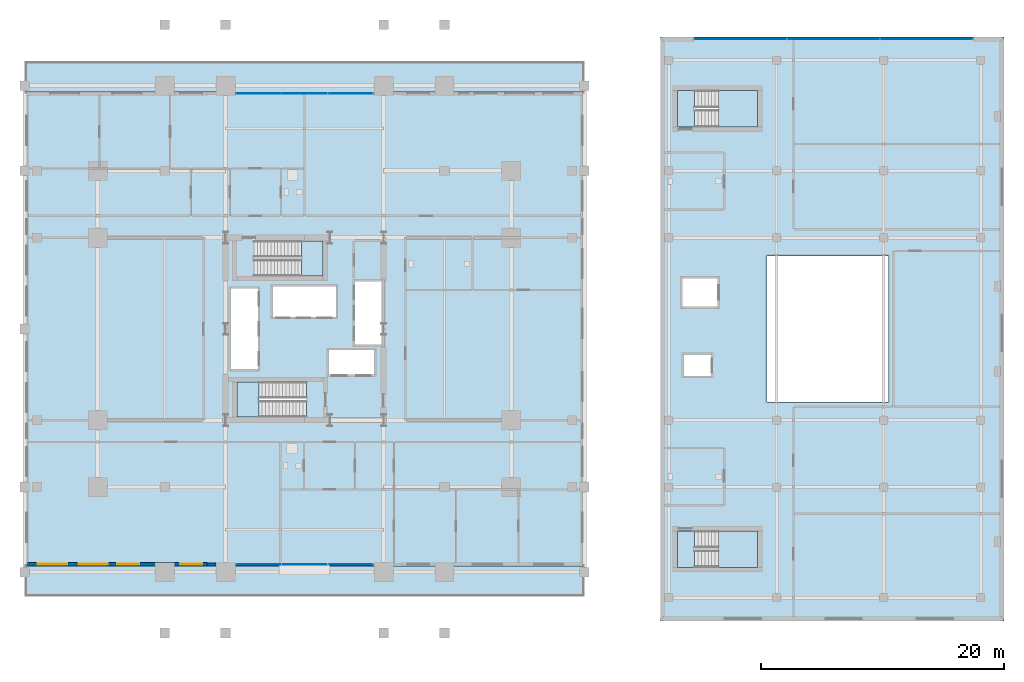
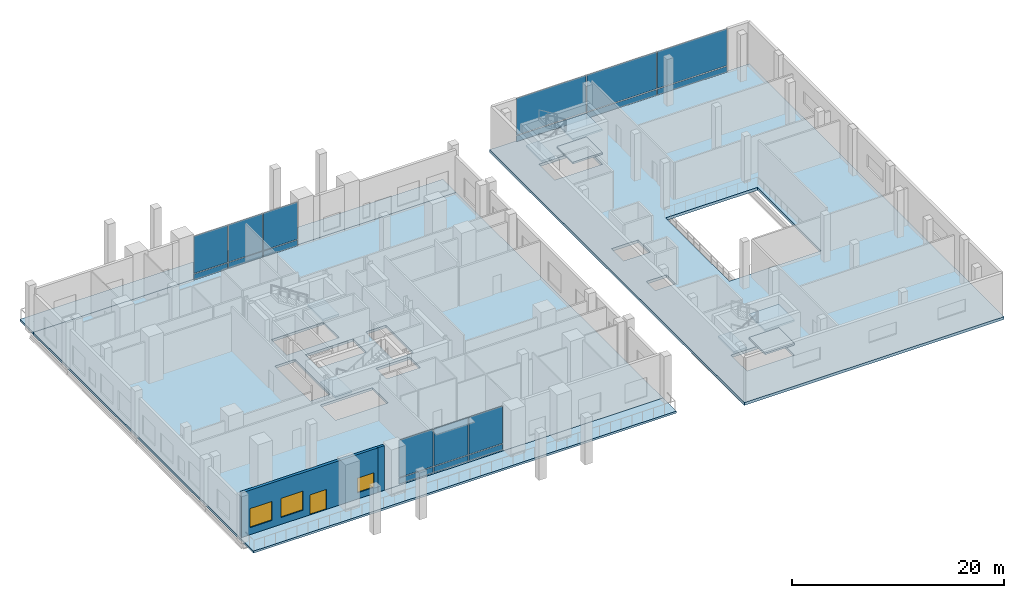
# One storey, part 10 of 22: 18 plates, 12 slabs, 3 windows, 2 walls, 1 door, 4 openings, 7 elements without a shape of their own.
"""IFC4 building model written with IfcOpenShell, lengths in metres."""

from ifc_helpers import new_model, si_unit, direction, frame, frame_2d, origin, origin_2d, place, context, subcontext, project, spatial, polyline, rectangle, outline, extrude, material, layer, layer_set, type_object, element, fill, aggregate, save


model = new_model("IFC4")

# Units and contexts
model_context = context("Model", 3, precision=1e-05, world=origin(), true_north=direction((0.0, 1.0)))
body_context = subcontext(model_context, "Body", "Model", "MODEL_VIEW")
ifc_project = project(units=[si_unit("LENGTHUNIT", "METRE"), si_unit("AREAUNIT", "SQUARE_METRE"), si_unit("VOLUMEUNIT", "CUBIC_METRE"), si_unit("PLANEANGLEUNIT", "RADIAN"), si_unit("MASSUNIT", "GRAM", prefix="KILO")], contexts=[model_context])

# Site, building, storey
site_placement = place(None, origin())
site = spatial("IfcSite", under=ifc_project, at=site_placement, CompositionType="ELEMENT")
building_placement = place(site_placement, origin())
building = spatial("IfcBuilding", under=site, at=building_placement, Name="Barlavira Tower and Art Museum", CompositionType="ELEMENT")
storey_placement = place(building_placement, frame((0.0, 0.0, 16.800048828125)))
storey = spatial("IfcBuildingStorey", under=building, at=storey_placement, Name="L03", CompositionType="ELEMENT", Elevation=16.800048828125)

# Slabs
ifc_material_1 = material(Name="Concrete C50", Category="concrete")
ifc_layer_1 = layer(ifc_material_1, 0.239990234375, Name="Concrete C50")
ifc_layer_set_1 = layer_set([ifc_layer_1], Name="Concrete C50")
slab_type_1 = type_object("IfcSlabType", Name="Cascading Garden and Lookout Terrace Slab 240 Concrete C50", PredefinedType="FLOOR", material=ifc_layer_set_1)
slab_1_placement = place(storey_placement, frame((0.0, 0.0, -0.239990234375)))
element("IfcSlab", 1, at=slab_1_placement, inside=storey, type_object=slab_type_1, Name="L03 South Cascading Garden Terrace Slab", PredefinedType="FLOOR", context=body_context, shape_type="SweptSolid", body=[
    extrude(outline(polyline([(-23.0, -22.0), (23.0, -22.0), (23.0, -19.5), (-23.0, -19.5), (-23.0, -22.0)])), origin(), (0.0, 0.0, 1.0), 0.239990234375),
])
slab_2_placement = place(storey_placement, frame((0.0, 0.0, -0.239990234375)))
element("IfcSlab", 2, at=slab_2_placement, inside=storey, type_object=slab_type_1, Name="L03 North Cascading Garden Terrace Slab", PredefinedType="FLOOR", context=body_context, shape_type="SweptSolid", body=[
    extrude(outline(polyline([(-23.0, 19.5), (23.0, 19.5), (23.0, 22.0), (-23.0, 22.0), (-23.0, 19.5)])), origin(), (0.0, 0.0, 1.0), 0.239990234375),
])

# Curtain wall, plates
ifc_material_2 = material(Name="Low-iron coastal laminated glass", Category="glass")
ifc_layer_2 = layer(ifc_material_2, 0.179931640625, Name="Low-iron coastal laminated glass")
ifc_layer_set_2 = layer_set([ifc_layer_2], Name="Low-iron coastal laminated glass")
curtain_wall_type_1 = type_object("IfcCurtainWallType", Name="Pale-Metal Unitised Curtain Wall Zone 1", PredefinedType="NOTDEFINED", material=ifc_layer_set_2)
curtain_wall_1_placement = place(storey_placement, origin())
curtain_wall_1 = element("IfcCurtainWall", 3, at=curtain_wall_1_placement, inside=storey, type_object=curtain_wall_type_1, Name="L03 Curtain Wall CW1-L03-S-B2", PredefinedType="NOTDEFINED")
ifc_material_3 = material(Name="Pale anodised aluminium", Category="aluminium")
ifc_layer_3 = layer(ifc_material_3, 0.044921875, Name="Pale anodised aluminium")
ifc_layer_set_3 = layer_set([ifc_layer_3], Name="Pale anodised aluminium")
plate_type_1 = type_object("IfcPlateType", Name="Curtain Wall Pale-Metal Spandrel Panel 45", PredefinedType="CURTAIN_PANEL", material=ifc_layer_set_3)
plate_1_placement = place(storey_placement, frame((-3.78662109375, -19.35009765625, 0.0400390625), z_axis=(0.0, 0.0, 1.0), x_axis=(1.0, 0.0, 0.0)))
plate_1 = element("IfcPlate", 4, at=plate_1_placement, type_object=plate_type_1, Name="CW1-L03-S-B2 Spandrel Panel 0", PredefinedType="CURTAIN_PANEL", context=body_context, shape_type="SweptSolid", body=[
    extrude(rectangle(XDim=3.686767578125, YDim=0.044921875, at=origin_2d()), origin(), (0.0, 0.0, 1.0), 0.669921875),
])
plate_2_placement = place(storey_placement, frame((0.0, -19.35009765625, 0.0400390625), z_axis=(0.0, 0.0, 1.0), x_axis=(1.0, 0.0, 0.0)))
plate_2 = element("IfcPlate", 5, at=plate_2_placement, type_object=plate_type_1, Name="CW1-L03-S-B2 Spandrel Panel 1", PredefinedType="CURTAIN_PANEL", context=body_context, shape_type="SweptSolid", body=[
    extrude(rectangle(XDim=3.686767578125, YDim=0.044921875, at=origin_2d()), origin(), (0.0, 0.0, 1.0), 0.669921875),
])
plate_3_placement = place(storey_placement, frame((3.78662109375, -19.35009765625, 0.0400390625), z_axis=(0.0, 0.0, 1.0), x_axis=(1.0, 0.0, 0.0)))
plate_3 = element("IfcPlate", 6, at=plate_3_placement, type_object=plate_type_1, Name="CW1-L03-S-B2 Spandrel Panel 2", PredefinedType="CURTAIN_PANEL", context=body_context, shape_type="SweptSolid", body=[
    extrude(rectangle(XDim=3.686767578125, YDim=0.044921875, at=origin_2d()), origin(), (0.0, 0.0, 1.0), 0.669921875),
])

curtain_wall_2_placement = place(storey_placement, origin())
curtain_wall_2 = element("IfcCurtainWall", 7, at=curtain_wall_2_placement, inside=storey, type_object=curtain_wall_type_1, Name="L03 Curtain Wall CW1-L03-N-B2", PredefinedType="NOTDEFINED")
plate_4_placement = place(storey_placement, frame((3.78662109375, 19.35009765625, 0.0400390625), z_axis=(0.0, 0.0, 1.0), x_axis=(-1.0, 0.0, 0.0)))
plate_4 = element("IfcPlate", 8, at=plate_4_placement, type_object=plate_type_1, Name="CW1-L03-N-B2 Spandrel Panel 0", PredefinedType="CURTAIN_PANEL", context=body_context, shape_type="SweptSolid", body=[
    extrude(rectangle(XDim=3.686767578125, YDim=0.044921875, at=origin_2d()), origin(), (0.0, 0.0, 1.0), 0.669921875),
])
plate_5_placement = place(storey_placement, frame((0.0, 19.35009765625, 0.0400390625), z_axis=(0.0, 0.0, 1.0), x_axis=(-1.0, 0.0, 0.0)))
plate_5 = element("IfcPlate", 9, at=plate_5_placement, type_object=plate_type_1, Name="CW1-L03-N-B2 Spandrel Panel 1", PredefinedType="CURTAIN_PANEL", context=body_context, shape_type="SweptSolid", body=[
    extrude(rectangle(XDim=3.686767578125, YDim=0.044921875, at=origin_2d()), origin(), (0.0, 0.0, 1.0), 0.669921875),
])
plate_6_placement = place(storey_placement, frame((-3.78662109375, 19.35009765625, 0.0400390625), z_axis=(0.0, 0.0, 1.0), x_axis=(-1.0, 0.0, 0.0)))
plate_6 = element("IfcPlate", 10, at=plate_6_placement, type_object=plate_type_1, Name="CW1-L03-N-B2 Spandrel Panel 2", PredefinedType="CURTAIN_PANEL", context=body_context, shape_type="SweptSolid", body=[
    extrude(rectangle(XDim=3.686767578125, YDim=0.044921875, at=origin_2d()), origin(), (0.0, 0.0, 1.0), 0.669921875),
])

ifc_layer_4 = layer(ifc_material_2, 0.199951171875, Name="Low-iron coastal laminated glass")
ifc_layer_set_4 = layer_set([ifc_layer_4], Name="Low-iron coastal laminated glass")
curtain_wall_type_2 = type_object("IfcCurtainWallType", Name="Coastal Art Museum North-Light Curtain Wall", PredefinedType="NOTDEFINED", material=ifc_layer_set_4)
curtain_wall_3_placement = place(storey_placement, origin())
curtain_wall_3 = element("IfcCurtainWall", 11, at=curtain_wall_3_placement, inside=storey, type_object=curtain_wall_type_2, Name="L03 Curtain Wall CW6-MUS-L03-N", PredefinedType="NOTDEFINED")
plate_7_placement = place(storey_placement, frame((51.166748046875, 23.824951171875, 0.0400390625), z_axis=(0.0, 0.0, 1.0), x_axis=(-1.0, 0.0, 0.0)))
plate_7 = element("IfcPlate", 12, at=plate_7_placement, type_object=plate_type_1, Name="CW6-MUS-L03-N Spandrel Panel 0", PredefinedType="CURTAIN_PANEL", context=body_context, shape_type="SweptSolid", body=[
    extrude(rectangle(XDim=7.566650390625, YDim=0.044921875, at=origin_2d()), origin(), (0.0, 0.0, 1.0), 0.669921875),
])
plate_8_placement = place(storey_placement, frame((43.5, 23.824951171875, 0.0400390625), z_axis=(0.0, 0.0, 1.0), x_axis=(-1.0, 0.0, 0.0)))
plate_8 = element("IfcPlate", 13, at=plate_8_placement, type_object=plate_type_1, Name="CW6-MUS-L03-N Spandrel Panel 1", PredefinedType="CURTAIN_PANEL", context=body_context, shape_type="SweptSolid", body=[
    extrude(rectangle(XDim=7.566650390625, YDim=0.044921875, at=origin_2d()), origin(), (0.0, 0.0, 1.0), 0.669921875),
])
plate_9_placement = place(storey_placement, frame((35.833251953125, 23.824951171875, 0.0400390625), z_axis=(0.0, 0.0, 1.0), x_axis=(-1.0, 0.0, 0.0)))
plate_9 = element("IfcPlate", 14, at=plate_9_placement, type_object=plate_type_1, Name="CW6-MUS-L03-N Spandrel Panel 2", PredefinedType="CURTAIN_PANEL", context=body_context, shape_type="SweptSolid", body=[
    extrude(rectangle(XDim=7.566650390625, YDim=0.044921875, at=origin_2d()), origin(), (0.0, 0.0, 1.0), 0.669921875),
])

# Plate
ifc_layer_5 = layer(ifc_material_2, 0.028076171875, Name="Low-iron coastal laminated glass")
ifc_layer_set_5 = layer_set([ifc_layer_5], Name="Low-iron coastal laminated glass")
plate_type_2 = type_object("IfcPlateType", Name="Curtain Wall Vision Glazing Panel 28", PredefinedType="CURTAIN_PANEL", material=ifc_layer_set_5)
plate_10_placement = place(storey_placement, frame((-3.78662109375, -19.35009765625, 0.7900390625), z_axis=(0.0, 0.0, 1.0), x_axis=(1.0, 0.0, 0.0)))
plate_10 = element("IfcPlate", 15, at=plate_10_placement, type_object=plate_type_2, Name="CW1-L03-S-B2 Vision Glass Panel 0", PredefinedType="CURTAIN_PANEL", context=body_context, shape_type="SweptSolid", body=[
    extrude(rectangle(XDim=3.686767578125, YDim=0.028076171875, at=origin_2d()), origin(), (0.0, 0.0, 1.0), 4.2900390625),
])

plate_11_placement = place(storey_placement, frame((0.0, -19.35009765625, 0.7900390625), z_axis=(0.0, 0.0, 1.0), x_axis=(1.0, 0.0, 0.0)))
plate_11 = element("IfcPlate", 16, at=plate_11_placement, type_object=plate_type_2, Name="CW1-L03-S-B2 Vision Glass Panel 1", PredefinedType="CURTAIN_PANEL", context=body_context, shape_type="SweptSolid", body=[
    extrude(rectangle(XDim=3.686767578125, YDim=0.028076171875, at=origin_2d()), origin(), (0.0, 0.0, 1.0), 4.2900390625),
])

plate_12_placement = place(storey_placement, frame((3.78662109375, -19.35009765625, 0.7900390625), z_axis=(0.0, 0.0, 1.0), x_axis=(1.0, 0.0, 0.0)))
plate_12 = element("IfcPlate", 17, at=plate_12_placement, type_object=plate_type_2, Name="CW1-L03-S-B2 Vision Glass Panel 2", PredefinedType="CURTAIN_PANEL", context=body_context, shape_type="SweptSolid", body=[
    extrude(rectangle(XDim=3.686767578125, YDim=0.028076171875, at=origin_2d()), origin(), (0.0, 0.0, 1.0), 4.2900390625),
])

aggregate(curtain_wall_1, [plate_1, plate_10, plate_2, plate_11, plate_3, plate_12])

plate_13_placement = place(storey_placement, frame((3.78662109375, 19.35009765625, 0.7900390625), z_axis=(0.0, 0.0, 1.0), x_axis=(-1.0, 0.0, 0.0)))
plate_13 = element("IfcPlate", 18, at=plate_13_placement, type_object=plate_type_2, Name="CW1-L03-N-B2 Vision Glass Panel 0", PredefinedType="CURTAIN_PANEL", context=body_context, shape_type="SweptSolid", body=[
    extrude(rectangle(XDim=3.686767578125, YDim=0.028076171875, at=origin_2d()), origin(), (0.0, 0.0, 1.0), 4.2900390625),
])

plate_14_placement = place(storey_placement, frame((0.0, 19.35009765625, 0.7900390625), z_axis=(0.0, 0.0, 1.0), x_axis=(-1.0, 0.0, 0.0)))
plate_14 = element("IfcPlate", 19, at=plate_14_placement, type_object=plate_type_2, Name="CW1-L03-N-B2 Vision Glass Panel 1", PredefinedType="CURTAIN_PANEL", context=body_context, shape_type="SweptSolid", body=[
    extrude(rectangle(XDim=3.686767578125, YDim=0.028076171875, at=origin_2d()), origin(), (0.0, 0.0, 1.0), 4.2900390625),
])

plate_15_placement = place(storey_placement, frame((-3.78662109375, 19.35009765625, 0.7900390625), z_axis=(0.0, 0.0, 1.0), x_axis=(-1.0, 0.0, 0.0)))
plate_15 = element("IfcPlate", 20, at=plate_15_placement, type_object=plate_type_2, Name="CW1-L03-N-B2 Vision Glass Panel 2", PredefinedType="CURTAIN_PANEL", context=body_context, shape_type="SweptSolid", body=[
    extrude(rectangle(XDim=3.686767578125, YDim=0.028076171875, at=origin_2d()), origin(), (0.0, 0.0, 1.0), 4.2900390625),
])

aggregate(curtain_wall_2, [plate_4, plate_13, plate_5, plate_14, plate_6, plate_15])

plate_16_placement = place(storey_placement, frame((51.166748046875, 23.824951171875, 0.7900390625), z_axis=(0.0, 0.0, 1.0), x_axis=(-1.0, 0.0, 0.0)))
plate_16 = element("IfcPlate", 21, at=plate_16_placement, type_object=plate_type_2, Name="CW6-MUS-L03-N Vision Glass Panel 0", PredefinedType="CURTAIN_PANEL", context=body_context, shape_type="SweptSolid", body=[
    extrude(rectangle(XDim=7.566650390625, YDim=0.028076171875, at=origin_2d()), origin(), (0.0, 0.0, 1.0), 4.25),
])

plate_17_placement = place(storey_placement, frame((43.5, 23.824951171875, 0.7900390625), z_axis=(0.0, 0.0, 1.0), x_axis=(-1.0, 0.0, 0.0)))
plate_17 = element("IfcPlate", 22, at=plate_17_placement, type_object=plate_type_2, Name="CW6-MUS-L03-N Vision Glass Panel 1", PredefinedType="CURTAIN_PANEL", context=body_context, shape_type="SweptSolid", body=[
    extrude(rectangle(XDim=7.566650390625, YDim=0.028076171875, at=origin_2d()), origin(), (0.0, 0.0, 1.0), 4.25),
])

plate_18_placement = place(storey_placement, frame((35.833251953125, 23.824951171875, 0.7900390625), z_axis=(0.0, 0.0, 1.0), x_axis=(-1.0, 0.0, 0.0)))
plate_18 = element("IfcPlate", 23, at=plate_18_placement, type_object=plate_type_2, Name="CW6-MUS-L03-N Vision Glass Panel 2", PredefinedType="CURTAIN_PANEL", context=body_context, shape_type="SweptSolid", body=[
    extrude(rectangle(XDim=7.566650390625, YDim=0.028076171875, at=origin_2d()), origin(), (0.0, 0.0, 1.0), 4.25),
])

aggregate(curtain_wall_3, [plate_7, plate_16, plate_8, plate_17, plate_9, plate_18])

# Slab
ifc_layer_6 = layer(ifc_material_1, 0.320068359375, Name="Concrete C50")
ifc_layer_set_6 = layer_set([ifc_layer_6], Name="Concrete C50")
slab_type_2 = type_object("IfcSlabType", Name="Museum Exhibition Gallery Slab 320 Concrete C50", PredefinedType="FLOOR", material=ifc_layer_set_6)
slab_3_placement = place(storey_placement, frame((0.0, 0.0, -0.320068359375)))
element("IfcSlab", 24, at=slab_3_placement, inside=storey, type_object=slab_type_2, Name="L03 Coastal Art Museum Floor Slab", PredefinedType="FLOOR", context=body_context, shape_type="SweptSolid", body=[
    extrude(outline(polyline([(29.25, -24.0), (57.5, -24.0), (57.5, 24.0), (29.25, 24.0), (29.25, -24.0)]), holes=[polyline([(32.070068359375, -19.60009765625), (37.25, -19.60009765625), (37.25, -16.60009765625), (32.070068359375, -16.60009765625), (32.070068359375, -19.60009765625)]), polyline([(32.070068359375, 16.60009765625), (37.25, 16.60009765625), (37.25, 19.60009765625), (32.070068359375, 19.60009765625), (32.070068359375, 16.60009765625)]), polyline([(31.199951171875, -3.85009765625), (33.39990234375, -3.85009765625), (33.39990234375, -2.14990234375), (31.199951171875, -2.14990234375), (31.199951171875, -3.85009765625)]), polyline([(31.050048828125, 1.85009765625), (33.949951171875, 1.85009765625), (33.949951171875, 4.14990234375), (31.050048828125, 4.14990234375), (31.050048828125, 1.85009765625)]), polyline([(38.0, -6.0), (48.0, -6.0), (48.0, 6.0), (38.0, 6.0), (38.0, -6.0)])]), origin(), (0.0, 0.0, 1.0), 0.320068359375),
])

# Stair, slabs
ifc_material_4 = material(Name="Concrete C45", Category="concrete")
stair_type_1 = type_object("IfcStairType", Name="Museum North Dog-Leg Exit Stair Assembly Concrete C45", PredefinedType="TWO_QUARTER_TURN_STAIR", material=ifc_material_4)
stair_1_placement = place(storey_placement, origin())
stair_1 = element("IfcStair", 25, at=stair_1_placement, inside=storey, type_object=stair_type_1, Name="L03 Museum North Exit Stair ST-M2", PredefinedType="TWO_QUARTER_TURN_STAIR")
ifc_layer_7 = layer(ifc_material_4, 0.199951171875, Name="Concrete C45")
ifc_layer_set_7 = layer_set([ifc_layer_7], Name="Concrete C45")
slab_type_3 = type_object("IfcSlabType", Name="Museum North Dog-Leg Exit Stair Half-Landing Slab 200 Concrete C45", PredefinedType="LANDING", material=ifc_layer_set_7)
slab_4_placement = place(storey_placement, frame((0.0, 0.0, 1.14990234375)))
slab_4 = element("IfcSlab", 26, at=slab_4_placement, type_object=slab_type_3, Name="ST-M2 landing 1", PredefinedType="LANDING", context=body_context, shape_type="SweptSolid", body=[
    extrude(outline(polyline([(34.030029296875, 16.60009765625), (37.25, 16.60009765625), (37.25, 19.60009765625), (34.030029296875, 19.60009765625), (34.030029296875, 16.60009765625)])), origin(), (0.0, 0.0, 1.0), 0.199951171875),
])
slab_5_placement = place(storey_placement, frame((0.0, 0.0, 2.5)))
slab_5 = element("IfcSlab", 27, at=slab_5_placement, type_object=slab_type_3, Name="ST-M2 landing 2", PredefinedType="LANDING", context=body_context, shape_type="SweptSolid", body=[
    extrude(outline(polyline([(30.64990234375, 16.60009765625), (32.070068359375, 16.60009765625), (32.070068359375, 19.60009765625), (30.64990234375, 19.60009765625), (30.64990234375, 16.60009765625)])), origin(), (0.0, 0.0, 1.0), 0.199951171875),
])
slab_6_placement = place(storey_placement, frame((0.0, 0.0, 3.849853515625)))
slab_6 = element("IfcSlab", 28, at=slab_6_placement, type_object=slab_type_3, Name="ST-M2 landing 3", PredefinedType="LANDING", context=body_context, shape_type="SweptSolid", body=[
    extrude(outline(polyline([(34.030029296875, 16.60009765625), (37.25, 16.60009765625), (37.25, 19.60009765625), (34.030029296875, 19.60009765625), (34.030029296875, 16.60009765625)])), origin(), (0.0, 0.0, 1.0), 0.2001953125),
])
aggregate(stair_1, [slab_4, slab_5, slab_6])

stair_type_2 = type_object("IfcStairType", Name="Museum South Dog-Leg Exit Stair Assembly Concrete C45", PredefinedType="TWO_QUARTER_TURN_STAIR", material=ifc_material_4)
stair_2_placement = place(storey_placement, origin())
stair_2 = element("IfcStair", 29, at=stair_2_placement, inside=storey, type_object=stair_type_2, Name="L03 Museum South Exit Stair ST-M1", PredefinedType="TWO_QUARTER_TURN_STAIR")
ifc_layer_8 = layer(ifc_material_4, 0.199951171875, Name="Concrete C45")
ifc_layer_set_8 = layer_set([ifc_layer_8], Name="Concrete C45")
slab_type_4 = type_object("IfcSlabType", Name="Museum South Dog-Leg Exit Stair Half-Landing Slab 200 Concrete C45", PredefinedType="LANDING", material=ifc_layer_set_8)
slab_7_placement = place(storey_placement, frame((0.0, 0.0, 1.14990234375)))
slab_7 = element("IfcSlab", 30, at=slab_7_placement, type_object=slab_type_4, Name="ST-M1 landing 1", PredefinedType="LANDING", context=body_context, shape_type="SweptSolid", body=[
    extrude(outline(polyline([(34.030029296875, -19.60009765625), (37.25, -19.60009765625), (37.25, -16.60009765625), (34.030029296875, -16.60009765625), (34.030029296875, -19.60009765625)])), origin(), (0.0, 0.0, 1.0), 0.199951171875),
])
slab_8_placement = place(storey_placement, frame((0.0, 0.0, 2.5)))
slab_8 = element("IfcSlab", 31, at=slab_8_placement, type_object=slab_type_4, Name="ST-M1 landing 2", PredefinedType="LANDING", context=body_context, shape_type="SweptSolid", body=[
    extrude(outline(polyline([(30.64990234375, -19.60009765625), (32.070068359375, -19.60009765625), (32.070068359375, -16.60009765625), (30.64990234375, -16.60009765625), (30.64990234375, -19.60009765625)])), origin(), (0.0, 0.0, 1.0), 0.199951171875),
])
slab_9_placement = place(storey_placement, frame((0.0, 0.0, 3.849853515625)))
slab_9 = element("IfcSlab", 32, at=slab_9_placement, type_object=slab_type_4, Name="ST-M1 landing 3", PredefinedType="LANDING", context=body_context, shape_type="SweptSolid", body=[
    extrude(outline(polyline([(34.030029296875, -19.60009765625), (37.25, -19.60009765625), (37.25, -16.60009765625), (34.030029296875, -16.60009765625), (34.030029296875, -19.60009765625)])), origin(), (0.0, 0.0, 1.0), 0.2001953125),
])
aggregate(stair_2, [slab_7, slab_8, slab_9])

# Slab
ifc_layer_9 = layer(ifc_material_1, 0.280029296875, Name="Concrete C50")
ifc_layer_set_9 = layer_set([ifc_layer_9], Name="Concrete C50")
slab_type_5 = type_object("IfcSlabType", Name="Podium Floor Slab 280 Concrete C50", PredefinedType="FLOOR", material=ifc_layer_set_9)
slab_10_placement = place(storey_placement, frame((0.0, 0.0, -0.280029296875)))
element("IfcSlab", 33, at=slab_10_placement, inside=storey, type_object=slab_type_5, Name="L03 Tower Podium Indoor Floor Slab", PredefinedType="FLOOR", context=body_context, shape_type="SweptSolid", body=[
    extrude(outline(polyline([(-23.0, -19.5), (23.0, -19.5), (23.0, 19.5), (-23.0, 19.5), (-23.0, -19.5)]), holes=[polyline([(0.14990234375, -4.35009765625), (-5.550048828125, -4.35009765625), (-5.550048828125, -7.25), (0.14990234375, -7.25), (0.14990234375, -4.35009765625)]), polyline([(-4.169921875, 4.35009765625), (1.530029296875, 4.35009765625), (1.530029296875, 7.25), (-4.169921875, 7.25), (-4.169921875, 4.35009765625)]), polyline([(-6.050048828125, -3.31005859375), (-3.85009765625, -3.31005859375), (-3.85009765625, 3.31005859375), (-6.050048828125, 3.31005859375), (-6.050048828125, -3.31005859375)]), polyline([(4.14990234375, -1.2900390625), (6.35009765625, -1.2900390625), (6.35009765625, 3.889892578125), (4.14990234375, 3.889892578125), (4.14990234375, -1.2900390625)]), polyline([(-2.6201171875, 1.0), (2.56005859375, 1.0), (2.56005859375, 3.5), (-2.6201171875, 3.5), (-2.6201171875, 1.0)]), polyline([(2.0, -3.75), (5.699951171875, -3.75), (5.699951171875, -1.75), (2.0, -1.75), (2.0, -3.75)])]), origin(), (0.0, 0.0, 1.0), 0.280029296875),
])

# Stair, slab
stair_type_3 = type_object("IfcStairType", Name="Tower North Dog-Leg Exit Stair Assembly Concrete C45", PredefinedType="TWO_QUARTER_TURN_STAIR", material=ifc_material_4)
stair_3_placement = place(storey_placement, origin())
stair_3 = element("IfcStair", 34, at=stair_3_placement, inside=storey, type_object=stair_type_3, Name="L03 Tower North Exit Stair ST-T2", PredefinedType="TWO_QUARTER_TURN_STAIR")
ifc_layer_10 = layer(ifc_material_4, 0.199951171875, Name="Concrete C45")
ifc_layer_set_10 = layer_set([ifc_layer_10], Name="Concrete C45")
slab_type_6 = type_object("IfcSlabType", Name="Tower North Dog-Leg Exit Stair Half-Landing Slab 200 Concrete C45", PredefinedType="LANDING", material=ifc_layer_set_10)
slab_11_placement = place(storey_placement, frame((0.0, 0.0, 2.5)))
slab_11 = element("IfcSlab", 35, at=slab_11_placement, type_object=slab_type_6, Name="ST-T2 landing 1", PredefinedType="LANDING", context=body_context, shape_type="SweptSolid", body=[
    extrude(outline(polyline([(-0.25, 4.35009765625), (1.530029296875, 4.35009765625), (1.530029296875, 7.25), (-0.25, 7.25), (-0.25, 4.35009765625)])), origin(), (0.0, 0.0, 1.0), 0.199951171875),
])
aggregate(stair_3, [slab_11])

stair_type_4 = type_object("IfcStairType", Name="Tower South Dog-Leg Exit Stair Assembly Concrete C45", PredefinedType="TWO_QUARTER_TURN_STAIR", material=ifc_material_4)
stair_4_placement = place(storey_placement, origin())
stair_4 = element("IfcStair", 36, at=stair_4_placement, inside=storey, type_object=stair_type_4, Name="L03 Tower South Exit Stair ST-T1", PredefinedType="TWO_QUARTER_TURN_STAIR")
ifc_layer_11 = layer(ifc_material_4, 0.199951171875, Name="Concrete C45")
ifc_layer_set_11 = layer_set([ifc_layer_11], Name="Concrete C45")
slab_type_7 = type_object("IfcSlabType", Name="Tower South Dog-Leg Exit Stair Half-Landing Slab 200 Concrete C45", PredefinedType="LANDING", material=ifc_layer_set_11)
slab_12_placement = place(storey_placement, frame((0.0, 0.0, 2.5)))
slab_12 = element("IfcSlab", 37, at=slab_12_placement, type_object=slab_type_7, Name="ST-T1 landing 1", PredefinedType="LANDING", context=body_context, shape_type="SweptSolid", body=[
    extrude(outline(polyline([(-3.77001953125, -4.35009765625), (-5.550048828125, -4.35009765625), (-5.550048828125, -7.25), (-3.77001953125, -7.25), (-3.77001953125, -4.35009765625)])), origin(), (0.0, 0.0, 1.0), 0.199951171875),
])
aggregate(stair_4, [slab_12])

# Wall
ifc_material_5 = material(Name="Precast concrete C40", Category="concrete")
ifc_layer_12 = layer(ifc_material_5, 0.25, Name="Precast concrete C40")
ifc_layer_set_12 = layer_set([ifc_layer_12], Name="Precast concrete C40")
wall_type_1 = type_object("IfcWallType", Name="Notched Corner Spandrel Wall 250 Precast Concrete C40", PredefinedType="SOLIDWALL", material=ifc_layer_set_12)
wall_1_placement = place(storey_placement, frame((-8.02490234375, -19.35009765625, 0.0), z_axis=(0.0, 0.0, 1.0), x_axis=(1.0, 0.0, 0.0)))
element("IfcWall", 38, at=wall_1_placement, inside=storey, type_object=wall_type_1, Name="L03 Coastal Facade Pier Wall CW1-L03-S-1", PredefinedType="SOLIDWALL", context=body_context, shape_type="SweptSolid", body=[
    extrude(rectangle(XDim=0.72998046875, YDim=0.25, at=frame_2d((0.364990234375, 0.0))), origin(), (0.0, 0.0, 1.0), 5.119873046875),
])

# Wall, openings, windows, door
ifc_layer_13 = layer(ifc_material_5, 0.300048828125, Name="Precast concrete C40")
ifc_layer_set_13 = layer_set([ifc_layer_13], Name="Precast concrete C40")
wall_type_2 = type_object("IfcWallType", Name="Podium Architectural Precast Facade Wall 300 Concrete C40", PredefinedType="SOLIDWALL", material=ifc_layer_set_13)
wall_2_placement = place(storey_placement, frame((-8.0, -19.35009765625, 0.0), z_axis=(0.0, 0.0, 1.0), x_axis=(-1.0, 0.0, 0.0)))
wall_2 = element("IfcWall", 39, at=wall_2_placement, inside=storey, type_object=wall_type_2, Name="L03 Podium South-West Wall", PredefinedType="SOLIDWALL", context=body_context, shape_type="SweptSolid", body=[
    extrude(rectangle(XDim=14.85009765625, YDim=0.300048828125, at=frame_2d((7.425048828125, 0.0))), origin(), (0.0, 0.0, 1.0), 5.119873046875),
])
opening_1_placement = place(wall_2_placement, frame((5.60009765625, 0.0, 0.0)))
opening_1 = element("IfcOpeningElement", 40, at=opening_1_placement, cuts=wall_2, Name="Opening ED-03", PredefinedType="OPENING", context=body_context, shape_type="SweptSolid", body=[
    extrude(rectangle(XDim=1.800048828125, YDim=2.300048828125, at=frame_2d((0.89990234375, 1.14990234375))), frame((0.0, 0.16015625, 0.0), z_axis=(0.0, -1.0, 0.0), x_axis=(1.0, 0.0, 0.0)), (0.0, 0.0, 1.0), 0.320068359375),
])
opening_2_placement = place(wall_2_placement, frame((0.429931640625, 0.0, 0.719970703125)))
opening_2 = element("IfcOpeningElement", 41, at=opening_2_placement, cuts=wall_2, Name="Opening WN-01", PredefinedType="OPENING", context=body_context, shape_type="SweptSolid", body=[
    extrude(rectangle(XDim=1.800048828125, YDim=1.679931640625, at=frame_2d((0.89990234375, 0.83984375))), frame((0.0, 0.16015625, 0.0), z_axis=(0.0, -1.0, 0.0), x_axis=(1.0, 0.0, 0.0)), (0.0, 0.0, 1.0), 0.320068359375),
])
opening_3_placement = place(wall_2_placement, frame((8.175048828125, 0.0, 0.800048828125)))
opening_3 = element("IfcOpeningElement", 42, at=opening_3_placement, cuts=wall_2, Name="Opening WN-02", PredefinedType="OPENING", context=body_context, shape_type="SweptSolid", body=[
    extrude(rectangle(XDim=2.39990234375, YDim=2.199951171875, at=frame_2d((1.199951171875, 1.10009765625))), frame((0.0, 0.16015625, 0.0), z_axis=(0.0, -1.0, 0.0), x_axis=(1.0, 0.0, 0.0)), (0.0, 0.0, 1.0), 0.320068359375),
])
opening_4_placement = place(wall_2_placement, frame((11.52490234375, 0.0, 0.800048828125)))
opening_4 = element("IfcOpeningElement", 43, at=opening_4_placement, cuts=wall_2, Name="Opening WN-02", PredefinedType="OPENING", context=body_context, shape_type="SweptSolid", body=[
    extrude(rectangle(XDim=2.39990234375, YDim=2.199951171875, at=frame_2d((1.199951171875, 1.10009765625))), frame((0.0, 0.16015625, 0.0), z_axis=(0.0, -1.0, 0.0), x_axis=(1.0, 0.0, 0.0)), (0.0, 0.0, 1.0), 0.320068359375),
])
window_type_1 = type_object("IfcWindowType", Name="Podium Garden Gallery Window 2400x2200", PartitioningType="SINGLE_PANEL", PredefinedType="WINDOW", material=ifc_material_2)
window_1_placement = place(opening_3_placement, origin())
window_1 = element("IfcWindow", 44, at=window_1_placement, inside=storey, type_object=window_type_1, Name="L03 Punched Facade Window EW-L03-SW-2", OverallHeight=2.199951171875, OverallWidth=2.39990234375, PartitioningType="SINGLE_PANEL", PredefinedType="WINDOW", context=body_context, shape_type="SweptSolid", body=[
    extrude(rectangle(XDim=2.39990234375, YDim=2.199951171875, at=frame_2d((1.199951171875, 1.10009765625))), frame((0.0, 0.030029296875, 0.0), z_axis=(0.0, -1.0, 0.0), x_axis=(1.0, 0.0, 0.0)), (0.0, 0.0, 1.0), 0.06005859375),
])
fill(opening_3, window_1)
window_2_placement = place(opening_4_placement, origin())
window_2 = element("IfcWindow", 45, at=window_2_placement, inside=storey, type_object=window_type_1, Name="L03 Punched Facade Window EW-L03-SW-3", OverallHeight=2.199951171875, OverallWidth=2.39990234375, PartitioningType="SINGLE_PANEL", PredefinedType="WINDOW", context=body_context, shape_type="SweptSolid", body=[
    extrude(rectangle(XDim=2.39990234375, YDim=2.199951171875, at=frame_2d((1.199951171875, 1.10009765625))), frame((0.0, 0.030029296875, 0.0), z_axis=(0.0, -1.0, 0.0), x_axis=(1.0, 0.0, 0.0)), (0.0, 0.0, 1.0), 0.06005859375),
])
fill(opening_4, window_2)
window_type_2 = type_object("IfcWindowType", Name="Recessed Notch Corner Punch Window 1800x1680", PartitioningType="SINGLE_PANEL", PredefinedType="WINDOW", material=ifc_material_2)
window_3_placement = place(opening_2_placement, origin())
window_3 = element("IfcWindow", 46, at=window_3_placement, inside=storey, type_object=window_type_2, Name="L03 Punched Facade Window EW-L03-SW-1", OverallHeight=1.679931640625, OverallWidth=1.800048828125, PartitioningType="SINGLE_PANEL", PredefinedType="WINDOW", context=body_context, shape_type="SweptSolid", body=[
    extrude(rectangle(XDim=1.800048828125, YDim=1.679931640625, at=frame_2d((0.89990234375, 0.83984375))), frame((0.0, 0.030029296875, 0.0), z_axis=(0.0, -1.0, 0.0), x_axis=(1.0, 0.0, 0.0)), (0.0, 0.0, 1.0), 0.06005859375),
])
fill(opening_2, window_3)
door_type = type_object("IfcDoorType", Name="Terrace and Observation Deck Glazed Door 1800x2300", OperationType="NOTDEFINED", PredefinedType="DOOR", material=ifc_material_3)
door_placement = place(opening_1_placement, origin())
door = element("IfcDoor", 47, at=door_placement, inside=storey, type_object=door_type, Name="L03 South Cascade Terrace Access Door", OperationType="DOUBLE_DOOR_SINGLE_SWING", OverallHeight=2.300048828125, OverallWidth=1.800048828125, PredefinedType="DOOR", context=body_context, shape_type="SweptSolid", body=[
    extrude(rectangle(XDim=1.800048828125, YDim=2.300048828125, at=frame_2d((0.89990234375, 1.14990234375))), frame((0.0, 0.02490234375, 0.0), z_axis=(0.0, -1.0, 0.0), x_axis=(1.0, 0.0, 0.0)), (0.0, 0.0, 1.0), 0.050048828125),
])
fill(opening_1, door)

save(model, "model.ifc")
